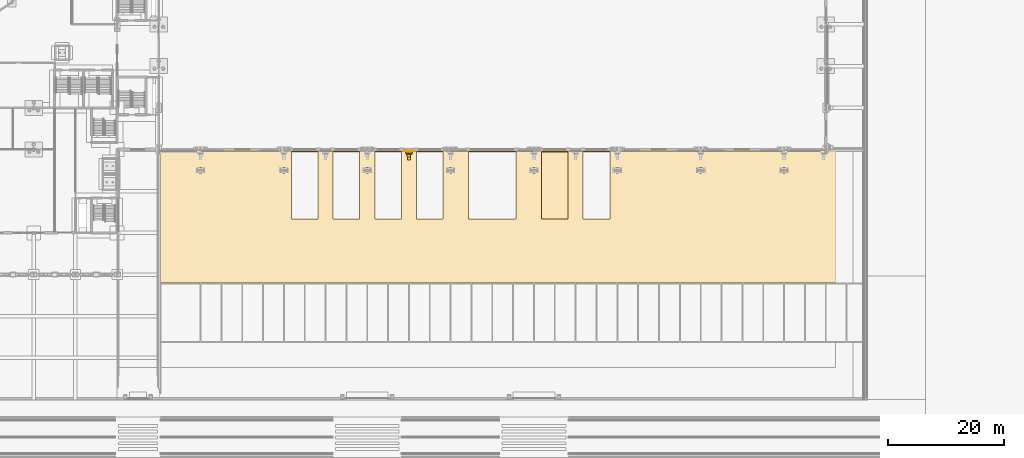
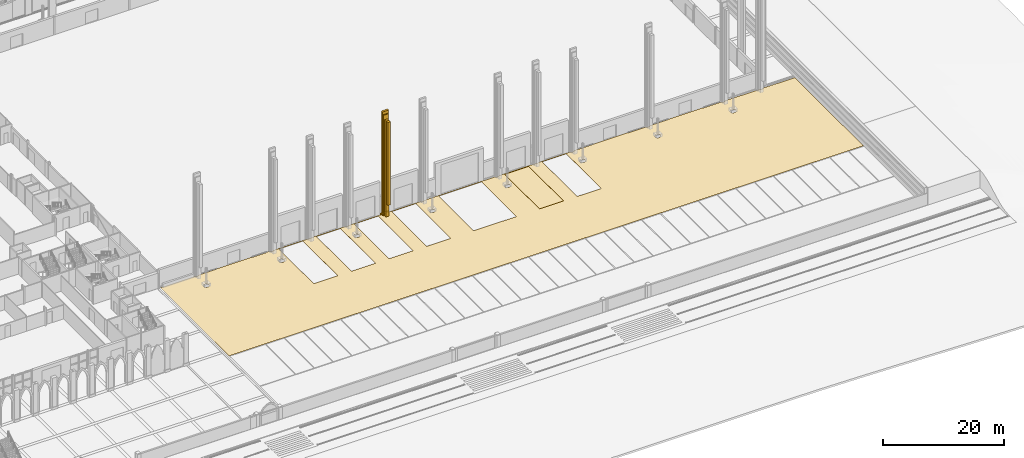
# One storey, part 132 of 148: 7 coverings.
"""IFC4 building model written with IfcOpenShell, lengths in metres."""

from ifc_helpers import new_model, si_unit, direction, frame, origin, origin_2d, place, context, subcontext, project, spatial, polyline, rectangle, outline, extrude, material, layer, layer_set, type_object, element, save


model = new_model("IFC4")

# Units and contexts
model_context = context("Model", 3, precision=1e-05, world=origin(), true_north=direction((0.0, 1.0)))
body_context = subcontext(model_context, "Body", "Model", "MODEL_VIEW")
ifc_project = project(units=[si_unit("LENGTHUNIT", "METRE"), si_unit("AREAUNIT", "SQUARE_METRE"), si_unit("VOLUMEUNIT", "CUBIC_METRE"), si_unit("PLANEANGLEUNIT", "RADIAN"), si_unit("MASSUNIT", "GRAM", prefix="KILO")], contexts=[model_context])

# Site, building, storey
site_placement = place(None, origin())
site = spatial("IfcSite", under=ifc_project, at=site_placement, CompositionType="ELEMENT")
building_placement = place(site_placement, origin())
building = spatial("IfcBuilding", under=site, at=building_placement, Name="Kupolbacken Congress Centre", CompositionType="ELEMENT")
storey_placement = place(building_placement, origin())
storey = spatial("IfcBuildingStorey", under=building, at=storey_placement, Name="L00", CompositionType="ELEMENT", Elevation=0.0)

# Coverings
ifc_material_1 = material(Name="Brick cladding", Category="masonry")
ifc_layer_1 = layer(ifc_material_1, 0.10791015625)
ifc_layer_set_1 = layer_set([ifc_layer_1], Name="Brick cladding")
covering_type_1 = type_object("IfcCoveringType", Name="CV2 brick cladding band 108", PredefinedType="CLADDING", material=ifc_layer_set_1)
covering_1_placement = place(storey_placement, frame((129.60009765625, 42.93603515625, 0.0), z_axis=(0.0, 0.0, 1.0), x_axis=(1.0, 0.0, 0.0)))
element("IfcCovering", 1, at=covering_1_placement, inside=storey, type_object=covering_type_1, Name="E/H/S/L00/077/band", PredefinedType="CLADDING", context=body_context, shape_type="SweptSolid", body=[
    extrude(rectangle(XDim=1.60009765625, YDim=0.10791015625, at=origin_2d()), origin(), (0.0, 0.0, 1.0), 0.300048828125),
])
ifc_material_2 = material(Name="Limestone cladding", Category="masonry")
ifc_layer_2 = layer(ifc_material_2, 0.35009765625)
ifc_layer_set_2 = layer_set([ifc_layer_2], Name="Limestone cladding")
covering_type_2 = type_object("IfcCoveringType", Name="CV3 limestone pilaster strip 350", PredefinedType="CLADDING", material=ifc_layer_set_2)
covering_2_placement = place(storey_placement, frame((129.60009765625, 42.764892578125, 0.0), z_axis=(0.0, 0.0, 1.0), x_axis=(1.0, 0.0, 0.0)))
element("IfcCovering", 2, at=covering_2_placement, inside=storey, type_object=covering_type_2, Name="F/H/S/pil/06/0", PredefinedType="CLADDING", context=body_context, shape_type="SweptSolid", body=[
    extrude(rectangle(XDim=1.199951171875, YDim=0.35009765625, at=origin_2d()), origin(), (0.0, 0.0, 1.0), 20.93505859375),
])
ifc_material_3 = material(Name="Limestone cladding", Category="masonry")
ifc_layer_3 = layer(ifc_material_3, 0.5)
ifc_layer_set_3 = layer_set([ifc_layer_3], Name="Limestone cladding")
covering_type_3 = type_object("IfcCoveringType", Name="CV8 limestone drum pier 500", PredefinedType="CLADDING", material=ifc_layer_set_3)
covering_3_placement = place(storey_placement, frame((129.60009765625, 42.139892578125, 0.0), z_axis=(0.0, 0.0, 1.0), x_axis=(1.0, 0.0, 0.0)))
element("IfcCovering", 3, at=covering_3_placement, inside=storey, type_object=covering_type_3, Name="F/HR/H/S/butt/06-0/0", PredefinedType="CLADDING", context=body_context, shape_type="SweptSolid", body=[
    extrude(rectangle(XDim=0.60009765625, YDim=0.5, at=origin_2d()), origin(), (0.0, 0.0, 1.0), 19.385009765625),
])
covering_4_placement = place(storey_placement, frame((129.60009765625, 41.639892578125, 2.60009765625), z_axis=(0.0, 0.0, 1.0), x_axis=(1.0, 0.0, 0.0)))
element("IfcCovering", 4, at=covering_4_placement, inside=storey, type_object=covering_type_3, Name="F/HR/H/S/butt2/06-0/0", PredefinedType="CLADDING", context=body_context, shape_type="SweptSolid", body=[
    extrude(rectangle(XDim=0.5, YDim=0.5, at=origin_2d()), origin(), (0.0, 0.0, 1.0), 16.784912109375),
])
ifc_material_4 = material(Name="Limestone cladding", Category="masonry")
ifc_layer_4 = layer(ifc_material_4, 0.199951171875)
ifc_layer_set_4 = layer_set([ifc_layer_4], Name="Limestone cladding")
covering_type_4 = type_object("IfcCoveringType", Name="CV9 limestone drum arch frame 200", PredefinedType="CLADDING", material=ifc_layer_set_4)
covering_5_placement = place(storey_placement, frame((129.60009765625, 42.489990234375, 0.0), z_axis=(0.0, 0.0, 1.0), x_axis=(1.0, 0.0, 0.0)))
element("IfcCovering", 5, at=covering_5_placement, inside=storey, type_object=covering_type_4, Name="F/HR/H/S/rib/06-0/0", PredefinedType="CLADDING", context=body_context, shape_type="SweptSolid", body=[
    extrude(rectangle(XDim=0.89990234375, YDim=0.199951171875, at=origin_2d()), origin(), (0.0, 0.0, 1.0), 20.3349609375),
])
ifc_material_5 = material(Name="Asphalt", Category="masonry")
ifc_layer_5 = layer(ifc_material_5, 0.02001953125)
ifc_layer_set_5 = layer_set([ifc_layer_5], Name="Asphalt")
covering_type_5 = type_object("IfcCoveringType", Name="GF3 asphalt dock hardstanding 20", PredefinedType="FLOORING", material=ifc_layer_set_5)
covering_6_placement = place(storey_placement, origin())
element("IfcCovering", 6, at=covering_6_placement, inside=storey, type_object=covering_type_5, Name="Dock hardstanding", PredefinedType="FLOORING", context=body_context, shape_type="SweptSolid", body=[
    extrude(outline(polyline([(157.10009765625, 31.199951171875), (152.5, 31.199951171875), (152.5, 42.75), (157.10009765625, 42.75), (157.10009765625, 31.199951171875)])), origin(), (0.0, 0.0, 1.0), 0.02001953125),
])
covering_7_placement = place(storey_placement, origin())
element("IfcCovering", 7, at=covering_7_placement, inside=storey, type_object=covering_type_5, Name="Service yard asphalt hardstanding", PredefinedType="FLOORING", context=body_context, shape_type="SweptSolid", body=[
    extrude(outline(polyline([(86.739501953125, 42.860595703125), (86.757080078125, 42.8798828125), (93.242919921875, 42.8798828125), (93.260498046875, 42.860595703125), (93.29541015625, 42.828857421875), (93.333251953125, 42.80078125), (93.373779296875, 42.776611328125), (93.416259765625, 42.756591796875), (93.460693359375, 42.740478515625), (93.50634765625, 42.729248046875), (93.552978515625, 42.722412109375), (93.60009765625, 42.719970703125), (93.647216796875, 42.722412109375), (93.693603515625, 42.729248046875), (93.7392578125, 42.740478515625), (93.78369140625, 42.756591796875), (93.826416015625, 42.776611328125), (93.86669921875, 42.80078125), (93.904541015625, 42.828857421875), (93.939453125, 42.860595703125), (93.97119140625, 42.8955078125), (93.9990234375, 42.933349609375), (93.97412109375, 42.8994140625), (97.414794921875, 42.8994140625), (97.411865234375, 42.9599609375), (104.188232421875, 42.9599609375), (104.185302734375, 42.8994140625), (107.014892578125, 42.8994140625), (107.01171875, 42.9599609375), (107.5849609375, 42.9599609375), (107.600830078125, 42.933349609375), (107.62890625, 42.8955078125), (107.66064453125, 42.860595703125), (107.695556640625, 42.828857421875), (107.7333984375, 42.80078125), (107.773681640625, 42.776611328125), (107.81640625, 42.756591796875), (107.860595703125, 42.740478515625), (107.90625, 42.729248046875), (107.952880859375, 42.722412109375), (108.0, 42.719970703125), (108.047119140625, 42.722412109375), (108.09375, 42.729248046875), (108.139404296875, 42.740478515625), (108.18359375, 42.756591796875), (108.226318359375, 42.776611328125), (108.2666015625, 42.80078125), (108.304443359375, 42.828857421875), (108.33935546875, 42.860595703125), (108.357177734375, 42.8798828125), (108.802001953125, 42.8798828125), (108.802001953125, 42.909912109375), (114.39794921875, 42.909912109375), (114.39794921875, 42.8798828125), (116.001953125, 42.8798828125), (116.001953125, 42.909912109375), (121.597900390625, 42.909912109375), (121.597900390625, 42.8798828125), (122.04296875, 42.8798828125), (122.060546875, 42.860595703125), (122.095458984375, 42.828857421875), (122.13330078125, 42.80078125), (122.173583984375, 42.776611328125), (122.21630859375, 42.756591796875), (122.2607421875, 42.740478515625), (122.306396484375, 42.729248046875), (122.352783203125, 42.722412109375), (122.39990234375, 42.719970703125), (122.447021484375, 42.722412109375), (122.49365234375, 42.729248046875), (122.539306640625, 42.740478515625), (122.583740234375, 42.756591796875), (122.626220703125, 42.776611328125), (122.666748046875, 42.80078125), (122.70458984375, 42.828857421875), (122.739501953125, 42.860595703125), (122.757080078125, 42.8798828125), (123.201904296875, 42.8798828125), (123.201904296875, 42.909912109375), (128.798095703125, 42.909912109375), (128.798095703125, 42.8798828125), (130.402099609375, 42.8798828125), (130.402099609375, 42.909912109375), (135.998046875, 42.909912109375), (135.998046875, 42.8798828125), (136.44287109375, 42.8798828125), (136.460693359375, 42.860595703125), (136.49560546875, 42.828857421875), (136.533203125, 42.80078125), (136.57373046875, 42.776611328125), (136.6162109375, 42.756591796875), (136.66064453125, 42.740478515625), (136.706298828125, 42.729248046875), (136.7529296875, 42.722412109375), (136.800048828125, 42.719970703125), (136.84716796875, 42.722412109375), (136.893798828125, 42.729248046875), (136.939208984375, 42.740478515625), (136.983642578125, 42.756591796875), (137.0263671875, 42.776611328125), (137.066650390625, 42.80078125), (137.1044921875, 42.828857421875), (137.139404296875, 42.860595703125), (137.156982421875, 42.8798828125), (139.402099609375, 42.8798828125), (139.402099609375, 42.909912109375), (148.597900390625, 42.909912109375), (148.597900390625, 42.8798828125), (150.843017578125, 42.8798828125), (150.860595703125, 42.860595703125), (150.8955078125, 42.828857421875), (150.933349609375, 42.80078125), (150.9736328125, 42.776611328125), (151.016357421875, 42.756591796875), (151.060791015625, 42.740478515625), (151.106201171875, 42.729248046875), (151.15283203125, 42.722412109375), (151.199951171875, 42.719970703125), (151.2470703125, 42.722412109375), (151.293701171875, 42.729248046875), (151.33935546875, 42.740478515625), (151.3837890625, 42.756591796875), (151.42626953125, 42.776611328125), (151.466796875, 42.80078125), (151.50439453125, 42.828857421875), (151.539306640625, 42.860595703125), (151.55712890625, 42.8798828125), (152.001953125, 42.8798828125), (152.001953125, 42.909912109375), (157.597900390625, 42.909912109375), (157.597900390625, 42.8798828125), (159.201904296875, 42.8798828125), (159.201904296875, 42.909912109375), (164.798095703125, 42.909912109375), (164.798095703125, 42.8798828125), (165.242919921875, 42.8798828125), (165.260498046875, 42.860595703125), (165.29541015625, 42.828857421875), (165.333251953125, 42.80078125), (165.373779296875, 42.776611328125), (165.416259765625, 42.756591796875), (165.460693359375, 42.740478515625), (165.50634765625, 42.729248046875), (165.552978515625, 42.722412109375), (165.60009765625, 42.719970703125), (165.647216796875, 42.722412109375), (165.693603515625, 42.729248046875), (165.7392578125, 42.740478515625), (165.78369140625, 42.756591796875), (165.826416015625, 42.776611328125), (165.86669921875, 42.80078125), (165.904541015625, 42.828857421875), (165.939453125, 42.860595703125), (165.97119140625, 42.8955078125), (165.9990234375, 42.933349609375), (166.01513671875, 42.9599609375), (166.588134765625, 42.9599609375), (166.585205078125, 42.8994140625), (169.414794921875, 42.8994140625), (169.411865234375, 42.9599609375), (176.188232421875, 42.9599609375), (176.185302734375, 42.8994140625), (179.6259765625, 42.8994140625), (179.600830078125, 42.933349609375), (179.62890625, 42.8955078125), (179.66064453125, 42.860595703125), (179.695556640625, 42.828857421875), (179.7333984375, 42.80078125), (179.773681640625, 42.776611328125), (179.81640625, 42.756591796875), (179.860595703125, 42.740478515625), (179.90625, 42.729248046875), (179.952880859375, 42.722412109375), (180.0, 42.719970703125), (180.047119140625, 42.722412109375), (180.09375, 42.729248046875), (180.139404296875, 42.740478515625), (180.18359375, 42.756591796875), (180.226318359375, 42.776611328125), (180.2666015625, 42.80078125), (180.304443359375, 42.828857421875), (180.33935546875, 42.860595703125), (180.37109375, 42.8955078125), (180.399169921875, 42.933349609375), (180.3740234375, 42.8994140625), (183.814697265625, 42.8994140625), (183.811767578125, 42.9599609375), (190.588134765625, 42.9599609375), (190.585205078125, 42.8994140625), (194.02587890625, 42.8994140625), (194.0009765625, 42.933349609375), (194.02880859375, 42.8955078125), (194.060546875, 42.860595703125), (194.095458984375, 42.828857421875), (194.13330078125, 42.80078125), (194.173583984375, 42.776611328125), (194.21630859375, 42.756591796875), (194.2607421875, 42.740478515625), (194.306396484375, 42.729248046875), (194.352783203125, 42.722412109375), (194.39990234375, 42.719970703125), (194.447021484375, 42.722412109375), (194.49365234375, 42.729248046875), (194.539306640625, 42.740478515625), (194.583740234375, 42.756591796875), (194.626220703125, 42.776611328125), (194.666748046875, 42.80078125), (194.70458984375, 42.828857421875), (194.739501953125, 42.860595703125), (194.757080078125, 42.8798828125), (201.242919921875, 42.8798828125), (201.260498046875, 42.860595703125), (201.29541015625, 42.828857421875), (201.333251953125, 42.80078125), (201.373779296875, 42.776611328125), (201.416259765625, 42.756591796875), (201.460693359375, 42.740478515625), (201.50634765625, 42.729248046875), (201.552978515625, 42.722412109375), (201.60009765625, 42.719970703125), (201.647216796875, 42.722412109375), (201.693603515625, 42.729248046875), (201.7392578125, 42.740478515625), (201.78369140625, 42.756591796875), (201.826416015625, 42.776611328125), (201.86669921875, 42.80078125), (201.904541015625, 42.828857421875), (201.939453125, 42.860595703125), (201.97119140625, 42.8955078125), (201.9990234375, 42.933349609375), (201.97412109375, 42.8994140625), (208.110107421875, 42.8994140625), (208.110107421875, 20.14990234375), (86.700439453125, 20.14990234375), (86.700439453125, 42.825927734375), (86.739501953125, 42.860595703125)]), holes=[polyline([(121.10205078125, 42.751953125), (116.498046875, 42.751953125), (116.498046875, 31.197998046875), (121.10205078125, 31.197998046875), (121.10205078125, 42.751953125)]), polyline([(109.298095703125, 42.751953125), (109.298095703125, 31.197998046875), (113.902099609375, 31.197998046875), (113.902099609375, 42.751953125), (109.298095703125, 42.751953125)]), polyline([(122.859375, 39.460693359375), (122.870849609375, 39.50634765625), (122.877685546875, 39.552978515625), (122.8798828125, 39.60009765625), (122.877685546875, 39.647216796875), (122.870849609375, 39.693603515625), (122.859375, 39.7392578125), (122.843505859375, 39.78369140625), (122.823486328125, 39.826416015625), (122.799072265625, 39.86669921875), (122.77099609375, 39.904541015625), (122.739501953125, 39.939453125), (122.70458984375, 39.97119140625), (122.666748046875, 39.9990234375), (122.626220703125, 40.0234375), (122.583740234375, 40.04345703125), (122.539306640625, 40.059326171875), (122.49365234375, 40.07080078125), (122.447021484375, 40.07763671875), (122.39990234375, 40.080078125), (122.352783203125, 40.07763671875), (122.306396484375, 40.07080078125), (122.2607421875, 40.059326171875), (122.21630859375, 40.04345703125), (122.173583984375, 40.0234375), (122.13330078125, 39.9990234375), (122.095458984375, 39.97119140625), (122.060546875, 39.939453125), (122.02880859375, 39.904541015625), (122.0009765625, 39.86669921875), (121.9765625, 39.826416015625), (121.95654296875, 39.78369140625), (121.940673828125, 39.7392578125), (121.92919921875, 39.693603515625), (121.92236328125, 39.647216796875), (121.919921875, 39.60009765625), (121.92236328125, 39.552978515625), (121.92919921875, 39.50634765625), (121.940673828125, 39.460693359375), (121.95654296875, 39.416259765625), (121.9765625, 39.373779296875), (122.0009765625, 39.333251953125), (122.02880859375, 39.29541015625), (122.060546875, 39.260498046875), (122.095458984375, 39.22900390625), (122.13330078125, 39.200927734375), (122.173583984375, 39.176513671875), (122.21630859375, 39.156494140625), (122.2607421875, 39.140625), (122.306396484375, 39.129150390625), (122.352783203125, 39.122314453125), (122.39990234375, 39.1201171875), (122.447021484375, 39.122314453125), (122.49365234375, 39.129150390625), (122.539306640625, 39.140625), (122.583740234375, 39.156494140625), (122.626220703125, 39.176513671875), (122.666748046875, 39.200927734375), (122.70458984375, 39.22900390625), (122.739501953125, 39.260498046875), (122.77099609375, 39.29541015625), (122.799072265625, 39.333251953125), (122.823486328125, 39.373779296875), (122.843505859375, 39.416259765625), (122.859375, 39.460693359375)]), polyline([(94.04345703125, 39.416259765625), (94.059326171875, 39.460693359375), (94.07080078125, 39.50634765625), (94.07763671875, 39.552978515625), (94.080078125, 39.60009765625), (94.07763671875, 39.647216796875), (94.07080078125, 39.693603515625), (94.059326171875, 39.7392578125), (94.04345703125, 39.78369140625), (94.0234375, 39.826416015625), (93.9990234375, 39.86669921875), (93.97119140625, 39.904541015625), (93.939453125, 39.939453125), (93.904541015625, 39.97119140625), (93.86669921875, 39.9990234375), (93.826416015625, 40.0234375), (93.78369140625, 40.04345703125), (93.7392578125, 40.059326171875), (93.693603515625, 40.07080078125), (93.647216796875, 40.07763671875), (93.60009765625, 40.080078125), (93.552978515625, 40.07763671875), (93.50634765625, 40.07080078125), (93.460693359375, 40.059326171875), (93.416259765625, 40.04345703125), (93.373779296875, 40.0234375), (93.333251953125, 39.9990234375), (93.29541015625, 39.97119140625), (93.260498046875, 39.939453125), (93.22900390625, 39.904541015625), (93.200927734375, 39.86669921875), (93.176513671875, 39.826416015625), (93.156494140625, 39.78369140625), (93.140625, 39.7392578125), (93.129150390625, 39.693603515625), (93.122314453125, 39.647216796875), (93.1201171875, 39.60009765625), (93.122314453125, 39.552978515625), (93.129150390625, 39.50634765625), (93.140625, 39.460693359375), (93.156494140625, 39.416259765625), (93.176513671875, 39.373779296875), (93.200927734375, 39.333251953125), (93.22900390625, 39.29541015625), (93.260498046875, 39.260498046875), (93.29541015625, 39.22900390625), (93.333251953125, 39.200927734375), (93.373779296875, 39.176513671875), (93.416259765625, 39.156494140625), (93.460693359375, 39.140625), (93.50634765625, 39.129150390625), (93.552978515625, 39.122314453125), (93.60009765625, 39.1201171875), (93.647216796875, 39.122314453125), (93.693603515625, 39.129150390625), (93.7392578125, 39.140625), (93.78369140625, 39.156494140625), (93.826416015625, 39.176513671875), (93.86669921875, 39.200927734375), (93.904541015625, 39.22900390625), (93.939453125, 39.260498046875), (93.97119140625, 39.29541015625), (93.9990234375, 39.333251953125), (94.0234375, 39.373779296875), (94.04345703125, 39.416259765625)]), polyline([(108.443603515625, 39.416259765625), (108.45947265625, 39.460693359375), (108.470703125, 39.50634765625), (108.477783203125, 39.552978515625), (108.47998046875, 39.60009765625), (108.477783203125, 39.647216796875), (108.470703125, 39.693603515625), (108.45947265625, 39.7392578125), (108.443603515625, 39.78369140625), (108.42333984375, 39.826416015625), (108.399169921875, 39.86669921875), (108.37109375, 39.904541015625), (108.33935546875, 39.939453125), (108.304443359375, 39.97119140625), (108.2666015625, 39.9990234375), (108.226318359375, 40.0234375), (108.18359375, 40.04345703125), (108.139404296875, 40.059326171875), (108.09375, 40.07080078125), (108.047119140625, 40.07763671875), (108.0, 40.080078125), (107.952880859375, 40.07763671875), (107.90625, 40.07080078125), (107.860595703125, 40.059326171875), (107.81640625, 40.04345703125), (107.773681640625, 40.0234375), (107.7333984375, 39.9990234375), (107.695556640625, 39.97119140625), (107.66064453125, 39.939453125), (107.62890625, 39.904541015625), (107.600830078125, 39.86669921875), (107.57666015625, 39.826416015625), (107.556396484375, 39.78369140625), (107.54052734375, 39.7392578125), (107.529296875, 39.693603515625), (107.522216796875, 39.647216796875), (107.52001953125, 39.60009765625), (107.522216796875, 39.552978515625), (107.529296875, 39.50634765625), (107.54052734375, 39.460693359375), (107.556396484375, 39.416259765625), (107.57666015625, 39.373779296875), (107.600830078125, 39.333251953125), (107.62890625, 39.29541015625), (107.66064453125, 39.260498046875), (107.695556640625, 39.22900390625), (107.7333984375, 39.200927734375), (107.773681640625, 39.176513671875), (107.81640625, 39.156494140625), (107.860595703125, 39.140625), (107.90625, 39.129150390625), (107.952880859375, 39.122314453125), (108.0, 39.1201171875), (108.047119140625, 39.122314453125), (108.09375, 39.129150390625), (108.139404296875, 39.140625), (108.18359375, 39.156494140625), (108.226318359375, 39.176513671875), (108.2666015625, 39.200927734375), (108.304443359375, 39.22900390625), (108.33935546875, 39.260498046875), (108.37109375, 39.29541015625), (108.399169921875, 39.333251953125), (108.42333984375, 39.373779296875), (108.443603515625, 39.416259765625)]), polyline([(128.302001953125, 42.751953125), (123.697998046875, 42.751953125), (123.697998046875, 31.197998046875), (128.302001953125, 31.197998046875), (128.302001953125, 42.751953125)]), polyline([(135.501953125, 42.751953125), (130.89794921875, 42.751953125), (130.89794921875, 31.197998046875), (135.501953125, 31.197998046875), (135.501953125, 42.751953125)]), polyline([(148.10205078125, 42.751953125), (139.89794921875, 42.751953125), (139.89794921875, 31.197998046875), (148.10205078125, 31.197998046875), (148.10205078125, 42.751953125)]), polyline([(137.243408203125, 39.416259765625), (137.259521484375, 39.460693359375), (137.270751953125, 39.50634765625), (137.277587890625, 39.552978515625), (137.280029296875, 39.60009765625), (137.277587890625, 39.647216796875), (137.270751953125, 39.693603515625), (137.259521484375, 39.7392578125), (137.243408203125, 39.78369140625), (137.223388671875, 39.826416015625), (137.19921875, 39.86669921875), (137.171142578125, 39.904541015625), (137.139404296875, 39.939453125), (137.1044921875, 39.97119140625), (137.066650390625, 39.9990234375), (137.0263671875, 40.0234375), (136.983642578125, 40.04345703125), (136.939208984375, 40.059326171875), (136.893798828125, 40.07080078125), (136.84716796875, 40.07763671875), (136.800048828125, 40.080078125), (136.7529296875, 40.07763671875), (136.706298828125, 40.07080078125), (136.66064453125, 40.059326171875), (136.6162109375, 40.04345703125), (136.57373046875, 40.0234375), (136.533203125, 39.9990234375), (136.49560546875, 39.97119140625), (136.460693359375, 39.939453125), (136.428955078125, 39.904541015625), (136.40087890625, 39.86669921875), (136.376708984375, 39.826416015625), (136.3564453125, 39.78369140625), (136.340576171875, 39.7392578125), (136.3291015625, 39.693603515625), (136.322265625, 39.647216796875), (136.320068359375, 39.60009765625), (136.322265625, 39.552978515625), (136.3291015625, 39.50634765625), (136.340576171875, 39.460693359375), (136.3564453125, 39.416259765625), (136.376708984375, 39.373779296875), (136.40087890625, 39.333251953125), (136.428955078125, 39.29541015625), (136.460693359375, 39.260498046875), (136.49560546875, 39.22900390625), (136.533203125, 39.200927734375), (136.57373046875, 39.176513671875), (136.6162109375, 39.156494140625), (136.66064453125, 39.140625), (136.706298828125, 39.129150390625), (136.7529296875, 39.122314453125), (136.800048828125, 39.1201171875), (136.84716796875, 39.122314453125), (136.893798828125, 39.129150390625), (136.939208984375, 39.140625), (136.983642578125, 39.156494140625), (137.0263671875, 39.176513671875), (137.066650390625, 39.200927734375), (137.1044921875, 39.22900390625), (137.139404296875, 39.260498046875), (137.171142578125, 39.29541015625), (137.19921875, 39.333251953125), (137.223388671875, 39.373779296875), (137.243408203125, 39.416259765625)]), polyline([(151.6435546875, 39.416259765625), (151.659423828125, 39.460693359375), (151.6708984375, 39.50634765625), (151.677734375, 39.552978515625), (151.679931640625, 39.60009765625), (151.677734375, 39.647216796875), (151.6708984375, 39.693603515625), (151.659423828125, 39.7392578125), (151.6435546875, 39.78369140625), (151.623291015625, 39.826416015625), (151.59912109375, 39.86669921875), (151.571044921875, 39.904541015625), (151.539306640625, 39.939453125), (151.50439453125, 39.97119140625), (151.466796875, 39.9990234375), (151.42626953125, 40.0234375), (151.3837890625, 40.04345703125), (151.33935546875, 40.059326171875), (151.293701171875, 40.07080078125), (151.2470703125, 40.07763671875), (151.199951171875, 40.080078125), (151.15283203125, 40.07763671875), (151.106201171875, 40.07080078125), (151.060791015625, 40.059326171875), (151.016357421875, 40.04345703125), (150.9736328125, 40.0234375), (150.933349609375, 39.9990234375), (150.8955078125, 39.97119140625), (150.860595703125, 39.939453125), (150.828857421875, 39.904541015625), (150.80078125, 39.86669921875), (150.776611328125, 39.826416015625), (150.756591796875, 39.78369140625), (150.740478515625, 39.7392578125), (150.729248046875, 39.693603515625), (150.722412109375, 39.647216796875), (150.719970703125, 39.60009765625), (150.722412109375, 39.552978515625), (150.729248046875, 39.50634765625), (150.740478515625, 39.460693359375), (150.756591796875, 39.416259765625), (150.776611328125, 39.373779296875), (150.80078125, 39.333251953125), (150.828857421875, 39.29541015625), (150.860595703125, 39.260498046875), (150.8955078125, 39.22900390625), (150.933349609375, 39.200927734375), (150.9736328125, 39.176513671875), (151.016357421875, 39.156494140625), (151.060791015625, 39.140625), (151.106201171875, 39.129150390625), (151.15283203125, 39.122314453125), (151.199951171875, 39.1201171875), (151.2470703125, 39.122314453125), (151.293701171875, 39.129150390625), (151.33935546875, 39.140625), (151.3837890625, 39.156494140625), (151.42626953125, 39.176513671875), (151.466796875, 39.200927734375), (151.50439453125, 39.22900390625), (151.539306640625, 39.260498046875), (151.571044921875, 39.29541015625), (151.59912109375, 39.333251953125), (151.623291015625, 39.373779296875), (151.6435546875, 39.416259765625)]), polyline([(157.10205078125, 31.197998046875), (157.10205078125, 42.751953125), (152.498046875, 42.751953125), (152.498046875, 31.197998046875), (157.10205078125, 31.197998046875)]), polyline([(164.302001953125, 31.197998046875), (164.302001953125, 42.751953125), (159.697998046875, 42.751953125), (159.697998046875, 31.197998046875), (164.302001953125, 31.197998046875)]), polyline([(166.059326171875, 39.460693359375), (166.07080078125, 39.50634765625), (166.07763671875, 39.552978515625), (166.080078125, 39.60009765625), (166.07763671875, 39.647216796875), (166.07080078125, 39.693603515625), (166.059326171875, 39.7392578125), (166.04345703125, 39.78369140625), (166.0234375, 39.826416015625), (165.9990234375, 39.86669921875), (165.97119140625, 39.904541015625), (165.939453125, 39.939453125), (165.904541015625, 39.97119140625), (165.86669921875, 39.9990234375), (165.826416015625, 40.0234375), (165.78369140625, 40.04345703125), (165.7392578125, 40.059326171875), (165.693603515625, 40.07080078125), (165.647216796875, 40.07763671875), (165.60009765625, 40.080078125), (165.552978515625, 40.07763671875), (165.50634765625, 40.07080078125), (165.460693359375, 40.059326171875), (165.416259765625, 40.04345703125), (165.373779296875, 40.0234375), (165.333251953125, 39.9990234375), (165.29541015625, 39.97119140625), (165.260498046875, 39.939453125), (165.22900390625, 39.904541015625), (165.200927734375, 39.86669921875), (165.176513671875, 39.826416015625), (165.156494140625, 39.78369140625), (165.140625, 39.7392578125), (165.129150390625, 39.693603515625), (165.122314453125, 39.647216796875), (165.1201171875, 39.60009765625), (165.122314453125, 39.552978515625), (165.129150390625, 39.50634765625), (165.140625, 39.460693359375), (165.156494140625, 39.416259765625), (165.176513671875, 39.373779296875), (165.200927734375, 39.333251953125), (165.22900390625, 39.29541015625), (165.260498046875, 39.260498046875), (165.29541015625, 39.22900390625), (165.333251953125, 39.200927734375), (165.373779296875, 39.176513671875), (165.416259765625, 39.156494140625), (165.460693359375, 39.140625), (165.50634765625, 39.129150390625), (165.552978515625, 39.122314453125), (165.60009765625, 39.1201171875), (165.647216796875, 39.122314453125), (165.693603515625, 39.129150390625), (165.7392578125, 39.140625), (165.78369140625, 39.156494140625), (165.826416015625, 39.176513671875), (165.86669921875, 39.200927734375), (165.904541015625, 39.22900390625), (165.939453125, 39.260498046875), (165.97119140625, 39.29541015625), (165.9990234375, 39.333251953125), (166.0234375, 39.373779296875), (166.04345703125, 39.416259765625), (166.059326171875, 39.460693359375)]), polyline([(194.859375, 39.460693359375), (194.870849609375, 39.50634765625), (194.877685546875, 39.552978515625), (194.8798828125, 39.60009765625), (194.877685546875, 39.647216796875), (194.870849609375, 39.693603515625), (194.859375, 39.7392578125), (194.843505859375, 39.78369140625), (194.823486328125, 39.826416015625), (194.799072265625, 39.86669921875), (194.77099609375, 39.904541015625), (194.739501953125, 39.939453125), (194.70458984375, 39.97119140625), (194.666748046875, 39.9990234375), (194.626220703125, 40.0234375), (194.583740234375, 40.04345703125), (194.539306640625, 40.059326171875), (194.49365234375, 40.07080078125), (194.447021484375, 40.07763671875), (194.39990234375, 40.080078125), (194.352783203125, 40.07763671875), (194.306396484375, 40.07080078125), (194.2607421875, 40.059326171875), (194.21630859375, 40.04345703125), (194.173583984375, 40.0234375), (194.13330078125, 39.9990234375), (194.095458984375, 39.97119140625), (194.060546875, 39.939453125), (194.02880859375, 39.904541015625), (194.0009765625, 39.86669921875), (193.9765625, 39.826416015625), (193.95654296875, 39.78369140625), (193.940673828125, 39.7392578125), (193.92919921875, 39.693603515625), (193.92236328125, 39.647216796875), (193.919921875, 39.60009765625), (193.92236328125, 39.552978515625), (193.92919921875, 39.50634765625), (193.940673828125, 39.460693359375), (193.95654296875, 39.416259765625), (193.9765625, 39.373779296875), (194.0009765625, 39.333251953125), (194.02880859375, 39.29541015625), (194.060546875, 39.260498046875), (194.095458984375, 39.22900390625), (194.13330078125, 39.200927734375), (194.173583984375, 39.176513671875), (194.21630859375, 39.156494140625), (194.2607421875, 39.140625), (194.306396484375, 39.129150390625), (194.352783203125, 39.122314453125), (194.39990234375, 39.1201171875), (194.447021484375, 39.122314453125), (194.49365234375, 39.129150390625), (194.539306640625, 39.140625), (194.583740234375, 39.156494140625), (194.626220703125, 39.176513671875), (194.666748046875, 39.200927734375), (194.70458984375, 39.22900390625), (194.739501953125, 39.260498046875), (194.77099609375, 39.29541015625), (194.799072265625, 39.333251953125), (194.823486328125, 39.373779296875), (194.843505859375, 39.416259765625), (194.859375, 39.460693359375)]), polyline([(180.45947265625, 39.460693359375), (180.470703125, 39.50634765625), (180.477783203125, 39.552978515625), (180.47998046875, 39.60009765625), (180.477783203125, 39.647216796875), (180.470703125, 39.693603515625), (180.45947265625, 39.7392578125), (180.443603515625, 39.78369140625), (180.42333984375, 39.826416015625), (180.399169921875, 39.86669921875), (180.37109375, 39.904541015625), (180.33935546875, 39.939453125), (180.304443359375, 39.97119140625), (180.2666015625, 39.9990234375), (180.226318359375, 40.0234375), (180.18359375, 40.04345703125), (180.139404296875, 40.059326171875), (180.09375, 40.07080078125), (180.047119140625, 40.07763671875), (180.0, 40.080078125), (179.952880859375, 40.07763671875), (179.90625, 40.07080078125), (179.860595703125, 40.059326171875), (179.81640625, 40.04345703125), (179.773681640625, 40.0234375), (179.7333984375, 39.9990234375), (179.695556640625, 39.97119140625), (179.66064453125, 39.939453125), (179.62890625, 39.904541015625), (179.600830078125, 39.86669921875), (179.57666015625, 39.826416015625), (179.556396484375, 39.78369140625), (179.54052734375, 39.7392578125), (179.529296875, 39.693603515625), (179.522216796875, 39.647216796875), (179.52001953125, 39.60009765625), (179.522216796875, 39.552978515625), (179.529296875, 39.50634765625), (179.54052734375, 39.460693359375), (179.556396484375, 39.416259765625), (179.57666015625, 39.373779296875), (179.600830078125, 39.333251953125), (179.62890625, 39.29541015625), (179.66064453125, 39.260498046875), (179.695556640625, 39.22900390625), (179.7333984375, 39.200927734375), (179.773681640625, 39.176513671875), (179.81640625, 39.156494140625), (179.860595703125, 39.140625), (179.90625, 39.129150390625), (179.952880859375, 39.122314453125), (180.0, 39.1201171875), (180.047119140625, 39.122314453125), (180.09375, 39.129150390625), (180.139404296875, 39.140625), (180.18359375, 39.156494140625), (180.226318359375, 39.176513671875), (180.2666015625, 39.200927734375), (180.304443359375, 39.22900390625), (180.33935546875, 39.260498046875), (180.37109375, 39.29541015625), (180.399169921875, 39.333251953125), (180.42333984375, 39.373779296875), (180.443603515625, 39.416259765625), (180.45947265625, 39.460693359375)])]), origin(), (0.0, 0.0, 1.0), 0.02001953125),
])

save(model, "model.ifc")
